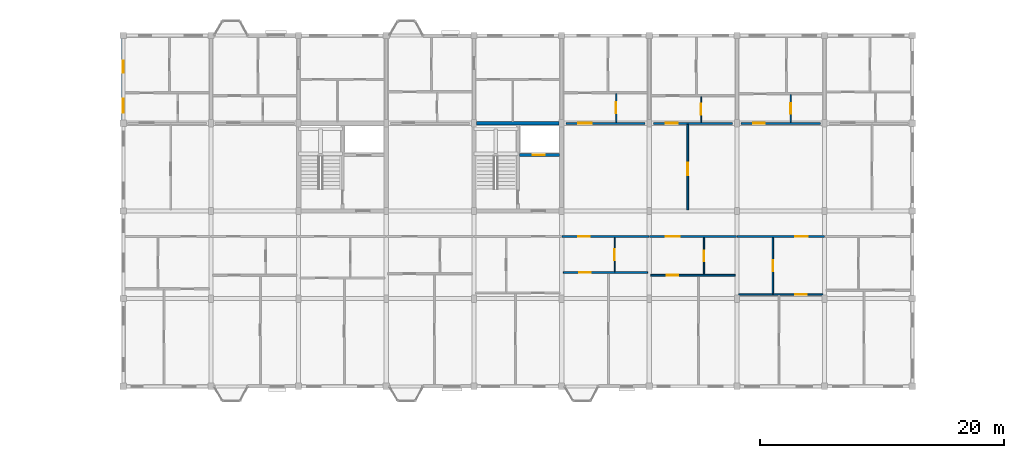
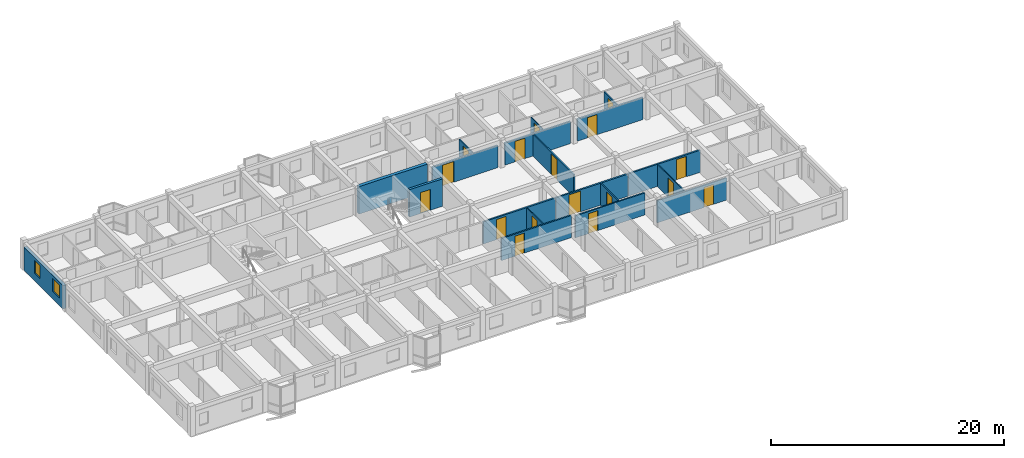
# One storey, part 62 of 70: 19 walls, 17 doors, 2 windows, 19 openings.
"""IFC4 building model written with IfcOpenShell, lengths in metres."""

from ifc_helpers import new_model, si_unit, direction, frame, frame_2d, origin, place, context, subcontext, project, spatial, rectangle, extrude, material, layer, layer_set, type_object, element, fill, save


model = new_model("IFC4")

# Units and contexts
model_context = context("Model", 3, precision=1e-05, world=origin(), true_north=direction((0.0, 1.0)))
body_context = subcontext(model_context, "Body", "Model", "MODEL_VIEW")
ifc_project = project(units=[si_unit("LENGTHUNIT", "METRE"), si_unit("AREAUNIT", "SQUARE_METRE"), si_unit("VOLUMEUNIT", "CUBIC_METRE"), si_unit("PLANEANGLEUNIT", "RADIAN"), si_unit("MASSUNIT", "GRAM", prefix="KILO"), si_unit("THERMODYNAMICTEMPERATUREUNIT", "KELVIN"), si_unit("POWERUNIT", "WATT")], contexts=[model_context])

# Site, building, storey
site_placement = place(None, origin())
site = spatial("IfcSite", under=ifc_project, at=site_placement, CompositionType="ELEMENT")
building_placement = place(site_placement, origin())
building = spatial("IfcBuilding", under=site, at=building_placement, Name="Tavuni Mirador Residences", CompositionType="ELEMENT")
storey_placement = place(building_placement, frame((0.0, 0.0, 23.39990234375)))
storey = spatial("IfcBuildingStorey", under=building, at=storey_placement, Name="L07", CompositionType="ELEMENT", Elevation=23.39990234375)

# Wall, opening, door
ifc_material_1 = material(Name="Precast concrete C40/50", Category="concrete")
ifc_layer_1 = layer(ifc_material_1, 0.25, Name="Precast concrete C40/50", Category="concrete")
ifc_layer_set_1 = layer_set([ifc_layer_1], Name="Precast concrete C40/50")
wall_type_1 = type_object("IfcWallType", Name="WT-COR250", PredefinedType="SHEAR", material=ifc_layer_set_1)
wall_1_placement = place(storey_placement, frame((43.324951171875, 163.0, 0.0), z_axis=(0.0, 0.0, 1.0), x_axis=(1.0, 0.0, 0.0)))
wall_1 = element("IfcWall", 1, at=wall_1_placement, inside=storey, type_object=wall_type_1, Name="CWALL-C6-L07-SHF", PredefinedType="SHEAR", context=body_context, shape_type="SweptSolid", body=[
    extrude(rectangle(XDim=3.31494140625, YDim=0.25, at=frame_2d((1.657470703125, 0.0))), origin(), (0.0, 0.0, 1.0), 2.885009765625),
])
opening_1_placement = place(wall_1_placement, frame((1.10009765625, 0.0, 0.0)))
opening_1 = element("IfcOpeningElement", 2, at=opening_1_placement, cuts=wall_1, Name="Opening LD-02", PredefinedType="OPENING", context=body_context, shape_type="SweptSolid", body=[
    extrude(rectangle(XDim=1.0, YDim=2.199951171875, at=frame_2d((0.5, 1.10009765625))), frame((0.0, 0.135009765625, 0.0), z_axis=(0.0, -1.0, 0.0), x_axis=(1.0, 0.0, 0.0)), (0.0, 0.0, 1.0), 0.27001953125),
])
ifc_material_2 = material(Name="Structural steel S355", Category="steel")
door_type_1 = type_object("IfcDoorType", Name="DT-LD-PAX", OperationType="SLIDING_TO_LEFT", PredefinedType="DOOR", material=ifc_material_2)
door_1_placement = place(opening_1_placement, origin())
door_1 = element("IfcDoor", 3, at=door_1_placement, inside=storey, type_object=door_type_1, Name="Lift landing door PL-C1 L07", OperationType="SLIDING_TO_LEFT", OverallHeight=2.199951171875, OverallWidth=1.0, PredefinedType="DOOR", context=body_context, shape_type="SweptSolid", body=[
    extrude(rectangle(XDim=1.0, YDim=2.199951171875, at=frame_2d((0.5, 1.10009765625))), frame((0.0, 0.02490234375, 0.0), z_axis=(0.0, -1.0, 0.0), x_axis=(1.0, 0.0, 0.0)), (0.0, 0.0, 1.0), 0.050048828125),
])
fill(opening_1, door_1)

# Wall
ifc_layer_2 = layer(ifc_material_1, 0.320068359375, Name="Precast concrete C40/50", Category="concrete")
ifc_layer_set_2 = layer_set([ifc_layer_2], Name="Precast concrete C40/50")
wall_type_2 = type_object("IfcWallType", Name="WT-COR320", PredefinedType="SHEAR", material=ifc_layer_set_2)
wall_2_placement = place(storey_placement, frame((39.800048828125, 165.60009765625, 0.0), z_axis=(0.0, 0.0, 1.0), x_axis=(1.0, 0.0, 0.0)))
element("IfcWall", 4, at=wall_2_placement, inside=storey, type_object=wall_type_2, Name="CWALL-C6-L07-N", PredefinedType="SHEAR", context=body_context, shape_type="SweptSolid", body=[
    extrude(rectangle(XDim=6.800048828125, YDim=0.320068359375, at=frame_2d((3.39990234375, 0.0))), origin(), (0.0, 0.0, 1.0), 2.885009765625),
])

# Wall, opening, door
ifc_layer_3 = layer(ifc_material_1, 0.1650390625, Name="Precast concrete C40/50", Category="concrete")
ifc_layer_set_3 = layer_set([ifc_layer_3], Name="Precast concrete C40/50")
wall_type_3 = type_object("IfcWallType", Name="WT-CORR165", PredefinedType="PARTITIONING", material=ifc_layer_set_3)
wall_3_placement = place(storey_placement, frame((46.820068359375, 156.300048828125, 0.0), z_axis=(0.0, 0.0, 1.0), x_axis=(1.0, 0.0, 0.0)))
wall_3 = element("IfcWall", 5, at=wall_3_placement, inside=storey, type_object=wall_type_3, Name="CORW-BLK-C-L07-0-05", PredefinedType="PARTITIONING", context=body_context, shape_type="SweptSolid", body=[
    extrude(rectangle(XDim=7.159912109375, YDim=0.1650390625, at=frame_2d((3.580078125, 0.0))), origin(), (0.0, 0.0, 1.0), 2.320068359375),
])
opening_2_placement = place(wall_3_placement, frame((1.330078125, 0.0, 0.0)))
opening_2 = element("IfcOpeningElement", 6, at=opening_2_placement, cuts=wall_3, Name="Opening D-19", PredefinedType="OPENING", context=body_context, shape_type="SweptSolid", body=[
    extrude(rectangle(XDim=0.93994140625, YDim=2.1201171875, at=frame_2d((0.469970703125, 1.06005859375))), frame((0.0, 0.092529296875, 0.0), z_axis=(0.0, -1.0, 0.0), x_axis=(1.0, 0.0, 0.0)), (0.0, 0.0, 1.0), 0.18505859375),
])
ifc_material_3 = material(Name="Solid core iroko timber", Category="wood")
door_type_2 = type_object("IfcDoorType", Name="DT-FD60-940", OperationType="NOTDEFINED", PredefinedType="DOOR", material=ifc_material_3)
door_2_placement = place(opening_2_placement, origin())
door_2 = element("IfcDoor", 7, at=door_2_placement, inside=storey, type_object=door_type_2, Name="DR-2728", OperationType="SINGLE_SWING_LEFT", OverallHeight=2.1201171875, OverallWidth=0.93994140625, PredefinedType="DOOR", context=body_context, shape_type="SweptSolid", body=[
    extrude(rectangle(XDim=0.93994140625, YDim=2.1201171875, at=frame_2d((0.469970703125, 1.06005859375))), frame((0.0, 0.02490234375, 0.0), z_axis=(0.0, -1.0, 0.0), x_axis=(1.0, 0.0, 0.0)), (0.0, 0.0, 1.0), 0.050048828125),
])
fill(opening_2, door_2)

wall_4_placement = place(storey_placement, frame((54.02001953125, 156.300048828125, 0.0), z_axis=(0.0, 0.0, 1.0), x_axis=(1.0, 0.0, 0.0)))
wall_4 = element("IfcWall", 8, at=wall_4_placement, inside=storey, type_object=wall_type_3, Name="CORW-BLK-C-L07-0-06", PredefinedType="PARTITIONING", context=body_context, shape_type="SweptSolid", body=[
    extrude(rectangle(XDim=7.159912109375, YDim=0.1650390625, at=frame_2d((3.580078125, 0.0))), origin(), (0.0, 0.0, 1.0), 2.320068359375),
])
opening_3_placement = place(wall_4_placement, frame((1.330078125, 0.0, 0.0)))
opening_3 = element("IfcOpeningElement", 9, at=opening_3_placement, cuts=wall_4, Name="Opening D-20", PredefinedType="OPENING", context=body_context, shape_type="SweptSolid", body=[
    extrude(rectangle(XDim=1.139892578125, YDim=2.179931640625, at=frame_2d((0.56982421875, 1.08984375))), frame((0.0, 0.092529296875, 0.0), z_axis=(0.0, -1.0, 0.0), x_axis=(1.0, 0.0, 0.0)), (0.0, 0.0, 1.0), 0.18505859375),
])
door_type_3 = type_object("IfcDoorType", Name="DT-FD60-1140", OperationType="NOTDEFINED", PredefinedType="DOOR", material=ifc_material_3)
door_3_placement = place(opening_3_placement, origin())
door_3 = element("IfcDoor", 10, at=door_3_placement, inside=storey, type_object=door_type_3, Name="DR-2729", OperationType="SINGLE_SWING_RIGHT", OverallHeight=2.179931640625, OverallWidth=1.139892578125, PredefinedType="DOOR", context=body_context, shape_type="SweptSolid", body=[
    extrude(rectangle(XDim=1.139892578125, YDim=2.179931640625, at=frame_2d((0.56982421875, 1.08984375))), frame((0.0, 0.02490234375, 0.0), z_axis=(0.0, -1.0, 0.0), x_axis=(1.0, 0.0, 0.0)), (0.0, 0.0, 1.0), 0.050048828125),
])
fill(opening_3, door_3)

wall_5_placement = place(storey_placement, frame((61.219970703125, 156.300048828125, 0.0), z_axis=(0.0, 0.0, 1.0), x_axis=(1.0, 0.0, 0.0)))
wall_5 = element("IfcWall", 11, at=wall_5_placement, inside=storey, type_object=wall_type_3, Name="CORW-BLK-C-L07-0-07", PredefinedType="PARTITIONING", context=body_context, shape_type="SweptSolid", body=[
    extrude(rectangle(XDim=7.159912109375, YDim=0.1650390625, at=frame_2d((3.580078125, 0.0))), origin(), (0.0, 0.0, 1.0), 2.320068359375),
])
opening_4_placement = place(wall_5_placement, frame((4.780029296875, 0.0, 0.0)))
opening_4 = element("IfcOpeningElement", 12, at=opening_4_placement, cuts=wall_5, Name="Opening D-03", PredefinedType="OPENING", context=body_context, shape_type="SweptSolid", body=[
    extrude(rectangle(XDim=1.0, YDim=2.14990234375, at=frame_2d((0.5, 1.074951171875))), frame((0.0, 0.092529296875, 0.0), z_axis=(0.0, -1.0, 0.0), x_axis=(1.0, 0.0, 0.0)), (0.0, 0.0, 1.0), 0.18505859375),
])
door_type_4 = type_object("IfcDoorType", Name="DT-FD60-1000", OperationType="NOTDEFINED", PredefinedType="DOOR", material=ifc_material_3)
door_4_placement = place(opening_4_placement, origin())
door_4 = element("IfcDoor", 13, at=door_4_placement, inside=storey, type_object=door_type_4, Name="DR-2730", OperationType="SINGLE_SWING_LEFT", OverallHeight=2.14990234375, OverallWidth=1.0, PredefinedType="DOOR", context=body_context, shape_type="SweptSolid", body=[
    extrude(rectangle(XDim=1.0, YDim=2.14990234375, at=frame_2d((0.5, 1.074951171875))), frame((0.0, 0.02490234375, 0.0), z_axis=(0.0, -1.0, 0.0), x_axis=(1.0, 0.0, 0.0)), (0.0, 0.0, 1.0), 0.050048828125),
])
fill(opening_4, door_4)

wall_6_placement = place(storey_placement, frame((47.14990234375, 165.60009765625, 0.0), z_axis=(0.0, 0.0, 1.0), x_axis=(1.0, 0.0, 0.0)))
wall_6 = element("IfcWall", 14, at=wall_6_placement, inside=storey, type_object=wall_type_3, Name="CORW-BLK-C-L07-1-05", PredefinedType="PARTITIONING", context=body_context, shape_type="SweptSolid", body=[
    extrude(rectangle(XDim=6.5, YDim=0.1650390625, at=frame_2d((3.25, 0.0))), origin(), (0.0, 0.0, 1.0), 2.320068359375),
])
opening_5_placement = place(wall_6_placement, frame((1.0, 0.0, 0.0)))
opening_5 = element("IfcOpeningElement", 15, at=opening_5_placement, cuts=wall_6, Name="Opening D-20", PredefinedType="OPENING", context=body_context, shape_type="SweptSolid", body=[
    extrude(rectangle(XDim=1.139892578125, YDim=2.179931640625, at=frame_2d((0.56982421875, 1.08984375))), frame((0.0, 0.092529296875, 0.0), z_axis=(0.0, -1.0, 0.0), x_axis=(1.0, 0.0, 0.0)), (0.0, 0.0, 1.0), 0.18505859375),
])
door_5_placement = place(opening_5_placement, origin())
door_5 = element("IfcDoor", 16, at=door_5_placement, inside=storey, type_object=door_type_3, Name="DR-2735", OperationType="SINGLE_SWING_RIGHT", OverallHeight=2.179931640625, OverallWidth=1.139892578125, PredefinedType="DOOR", context=body_context, shape_type="SweptSolid", body=[
    extrude(rectangle(XDim=1.139892578125, YDim=2.179931640625, at=frame_2d((0.56982421875, 1.08984375))), frame((0.0, 0.02490234375, 0.0), z_axis=(0.0, -1.0, 0.0), x_axis=(1.0, 0.0, 0.0)), (0.0, 0.0, 1.0), 0.050048828125),
])
fill(opening_5, door_5)

wall_7_placement = place(storey_placement, frame((54.35009765625, 165.60009765625, 0.0), z_axis=(0.0, 0.0, 1.0), x_axis=(1.0, 0.0, 0.0)))
wall_7 = element("IfcWall", 17, at=wall_7_placement, inside=storey, type_object=wall_type_3, Name="CORW-BLK-C-L07-1-06", PredefinedType="PARTITIONING", context=body_context, shape_type="SweptSolid", body=[
    extrude(rectangle(XDim=6.5, YDim=0.1650390625, at=frame_2d((3.25, 0.0))), origin(), (0.0, 0.0, 1.0), 2.320068359375),
])
opening_6_placement = place(wall_7_placement, frame((1.0, 0.0, 0.0)))
opening_6 = element("IfcOpeningElement", 18, at=opening_6_placement, cuts=wall_7, Name="Opening D-03", PredefinedType="OPENING", context=body_context, shape_type="SweptSolid", body=[
    extrude(rectangle(XDim=1.0, YDim=2.14990234375, at=frame_2d((0.5, 1.074951171875))), frame((0.0, 0.092529296875, 0.0), z_axis=(0.0, -1.0, 0.0), x_axis=(1.0, 0.0, 0.0)), (0.0, 0.0, 1.0), 0.18505859375),
])
door_6_placement = place(opening_6_placement, origin())
door_6 = element("IfcDoor", 19, at=door_6_placement, inside=storey, type_object=door_type_4, Name="DR-2736", OperationType="SINGLE_SWING_LEFT", OverallHeight=2.14990234375, OverallWidth=1.0, PredefinedType="DOOR", context=body_context, shape_type="SweptSolid", body=[
    extrude(rectangle(XDim=1.0, YDim=2.14990234375, at=frame_2d((0.5, 1.074951171875))), frame((0.0, 0.02490234375, 0.0), z_axis=(0.0, -1.0, 0.0), x_axis=(1.0, 0.0, 0.0)), (0.0, 0.0, 1.0), 0.050048828125),
])
fill(opening_6, door_6)

wall_8_placement = place(storey_placement, frame((61.550048828125, 165.60009765625, 0.0), z_axis=(0.0, 0.0, 1.0), x_axis=(1.0, 0.0, 0.0)))
wall_8 = element("IfcWall", 20, at=wall_8_placement, inside=storey, type_object=wall_type_3, Name="CORW-BLK-C-L07-1-07", PredefinedType="PARTITIONING", context=body_context, shape_type="SweptSolid", body=[
    extrude(rectangle(XDim=6.5, YDim=0.1650390625, at=frame_2d((3.25, 0.0))), origin(), (0.0, 0.0, 1.0), 2.320068359375),
])
opening_7_placement = place(wall_8_placement, frame((1.0, 0.0, 0.0)))
opening_7 = element("IfcOpeningElement", 21, at=opening_7_placement, cuts=wall_8, Name="Opening D-19", PredefinedType="OPENING", context=body_context, shape_type="SweptSolid", body=[
    extrude(rectangle(XDim=0.93994140625, YDim=2.1201171875, at=frame_2d((0.469970703125, 1.06005859375))), frame((0.0, 0.092529296875, 0.0), z_axis=(0.0, -1.0, 0.0), x_axis=(1.0, 0.0, 0.0)), (0.0, 0.0, 1.0), 0.18505859375),
])
door_7_placement = place(opening_7_placement, origin())
door_7 = element("IfcDoor", 22, at=door_7_placement, inside=storey, type_object=door_type_2, Name="DR-2737", OperationType="SINGLE_SWING_RIGHT", OverallHeight=2.1201171875, OverallWidth=0.93994140625, PredefinedType="DOOR", context=body_context, shape_type="SweptSolid", body=[
    extrude(rectangle(XDim=0.93994140625, YDim=2.1201171875, at=frame_2d((0.469970703125, 1.06005859375))), frame((0.0, 0.02490234375, 0.0), z_axis=(0.0, -1.0, 0.0), x_axis=(1.0, 0.0, 0.0)), (0.0, 0.0, 1.0), 0.050048828125),
])
fill(opening_7, door_7)

# Wall, openings, windows
ifc_material_4 = material(Name="Sgraffito lime-rendered precast concrete C40/50", Category="concrete")
ifc_layer_4 = layer(ifc_material_4, 0.2900390625, Name="Sgraffito lime-rendered precast concrete C40/50", Category="concrete")
ifc_layer_set_4 = layer_set([ifc_layer_4], Name="Sgraffito lime-rendered precast concrete C40/50")
wall_type_4 = type_object("IfcWallType", Name="WT-EXT-PC290", PredefinedType="SOLIDWALL", material=ifc_layer_set_4)
wall_9_placement = place(storey_placement, frame((10.800048828125, 172.550048828125, 0.0), z_axis=(0.0, 0.0, 1.0), x_axis=(0.0, -1.0, 0.0)))
wall_9 = element("IfcWall", 23, at=wall_9_placement, inside=storey, type_object=wall_type_4, Name="EW-BLK-C-L07-W03", PredefinedType="SOLIDWALL", context=body_context, shape_type="SweptSolid", body=[
    extrude(rectangle(XDim=6.699951171875, YDim=0.2900390625, at=frame_2d((3.35009765625, 0.0))), origin(), (0.0, 0.0, 1.0), 2.455078125),
])
opening_8_placement = place(wall_9_placement, frame((1.804931640625, 0.0, 0.780029296875)))
opening_8 = element("IfcOpeningElement", 24, at=opening_8_placement, cuts=wall_9, Name="Opening WN-18", PredefinedType="OPENING", context=body_context, shape_type="SweptSolid", body=[
    extrude(rectangle(XDim=0.97998046875, YDim=1.360107421875, at=frame_2d((0.489990234375, 0.68017578125))), frame((0.0, 0.155029296875, 0.0), z_axis=(0.0, -1.0, 0.0), x_axis=(1.0, 0.0, 0.0)), (0.0, 0.0, 1.0), 0.31005859375),
])
opening_9_placement = place(wall_9_placement, frame((4.93505859375, 0.0, 0.780029296875)))
opening_9 = element("IfcOpeningElement", 25, at=opening_9_placement, cuts=wall_9, Name="Opening WN-20", PredefinedType="OPENING", context=body_context, shape_type="SweptSolid", body=[
    extrude(rectangle(XDim=1.139892578125, YDim=1.360107421875, at=frame_2d((0.56982421875, 0.68017578125))), frame((0.0, 0.155029296875, 0.0), z_axis=(0.0, -1.0, 0.0), x_axis=(1.0, 0.0, 0.0)), (0.0, 0.0, 1.0), 0.31005859375),
])
ifc_material_5 = material(Name="Laminated solar-control glass", Category="glass")
window_type_1 = type_object("IfcWindowType", Name="WNT-18", PartitioningType="SINGLE_PANEL", PredefinedType="WINDOW", material=ifc_material_5)
window_1_placement = place(opening_8_placement, origin())
window_1 = element("IfcWindow", 26, at=window_1_placement, inside=storey, type_object=window_type_1, Name="WIN-1180", OverallHeight=1.360107421875, OverallWidth=0.97998046875, PartitioningType="SINGLE_PANEL", PredefinedType="WINDOW", context=body_context, shape_type="SweptSolid", body=[
    extrude(rectangle(XDim=0.97998046875, YDim=1.360107421875, at=frame_2d((0.489990234375, 0.68017578125))), frame((0.0, 0.030029296875, 0.0), z_axis=(0.0, -1.0, 0.0), x_axis=(1.0, 0.0, 0.0)), (0.0, 0.0, 1.0), 0.06005859375),
])
fill(opening_8, window_1)
window_type_2 = type_object("IfcWindowType", Name="WNT-20", PartitioningType="SINGLE_PANEL", PredefinedType="WINDOW", material=ifc_material_5)
window_2_placement = place(opening_9_placement, origin())
window_2 = element("IfcWindow", 27, at=window_2_placement, inside=storey, type_object=window_type_2, Name="WIN-1181", OverallHeight=1.360107421875, OverallWidth=1.139892578125, PartitioningType="SINGLE_PANEL", PredefinedType="WINDOW", context=body_context, shape_type="SweptSolid", body=[
    extrude(rectangle(XDim=1.139892578125, YDim=1.360107421875, at=frame_2d((0.56982421875, 0.68017578125))), frame((0.0, 0.030029296875, 0.0), z_axis=(0.0, -1.0, 0.0), x_axis=(1.0, 0.0, 0.0)), (0.0, 0.0, 1.0), 0.06005859375),
])
fill(opening_9, window_2)

# Wall, opening, door
ifc_material_6 = material(Name="Acoustic gypsum and concrete block partition", Category="concrete")
ifc_layer_5 = layer(ifc_material_6, 0.094970703125, Name="Acoustic gypsum and concrete block partition", Category="concrete")
ifc_layer_set_5 = layer_set([ifc_layer_5], Name="Acoustic gypsum and concrete block partition")
wall_type_5 = type_object("IfcWallType", Name="WT-PART095", PredefinedType="PARTITIONING", material=ifc_layer_set_5)
wall_10_placement = place(storey_placement, frame((51.14990234375, 153.419921875, 0.0), z_axis=(0.0, 0.0, 1.0), x_axis=(0.0, 1.0, 0.0)))
wall_10 = element("IfcWall", 28, at=wall_10_placement, inside=storey, type_object=wall_type_5, Name="PW-BLK-C-L07-S05-IN1", PredefinedType="PARTITIONING", context=body_context, shape_type="SweptSolid", body=[
    extrude(rectangle(XDim=2.7900390625, YDim=0.094970703125, at=frame_2d((1.39501953125, 0.0))), origin(), (0.0, 0.0, 1.0), 2.320068359375),
])
opening_10_placement = place(wall_10_placement, frame((0.945068359375, 0.0, 0.0)))
opening_10 = element("IfcOpeningElement", 29, at=opening_10_placement, cuts=wall_10, Name="Opening D-09", PredefinedType="OPENING", context=body_context, shape_type="SweptSolid", body=[
    extrude(rectangle(XDim=0.89990234375, YDim=2.050048828125, at=frame_2d((0.449951171875, 1.02490234375))), frame((0.0, 0.0576171875, 0.0), z_axis=(0.0, -1.0, 0.0), x_axis=(1.0, 0.0, 0.0)), (0.0, 0.0, 1.0), 0.114990234375),
])
door_type_5 = type_object("IfcDoorType", Name="DT-WC900", OperationType="NOTDEFINED", PredefinedType="DOOR", material=ifc_material_3)
door_8_placement = place(opening_10_placement, origin())
door_8 = element("IfcDoor", 30, at=door_8_placement, inside=storey, type_object=door_type_5, Name="DR-4047", OperationType="SINGLE_SWING_LEFT", OverallHeight=2.050048828125, OverallWidth=0.89990234375, PredefinedType="DOOR", context=body_context, shape_type="SweptSolid", body=[
    extrude(rectangle(XDim=0.89990234375, YDim=2.050048828125, at=frame_2d((0.449951171875, 1.02490234375))), frame((0.0, 0.02490234375, 0.0), z_axis=(0.0, -1.0, 0.0), x_axis=(1.0, 0.0, 0.0)), (0.0, 0.0, 1.0), 0.050048828125),
])
fill(opening_10, door_8)

wall_11_placement = place(storey_placement, frame((58.260009765625, 165.68994140625, 0.0), z_axis=(0.0, 0.0, 1.0), x_axis=(0.0, 1.0, 0.0)))
wall_11 = element("IfcWall", 31, at=wall_11_placement, inside=storey, type_object=wall_type_5, Name="PW-BLK-C-L07-N06-IN1", PredefinedType="PARTITIONING", context=body_context, shape_type="SweptSolid", body=[
    extrude(rectangle(XDim=2.10009765625, YDim=0.094970703125, at=frame_2d((1.050048828125, 0.0))), origin(), (0.0, 0.0, 1.0), 2.320068359375),
])
opening_11_placement = place(wall_11_placement, frame((0.60009765625, 0.0, 0.0)))
opening_11 = element("IfcOpeningElement", 32, at=opening_11_placement, cuts=wall_11, Name="Opening D-09", PredefinedType="OPENING", context=body_context, shape_type="SweptSolid", body=[
    extrude(rectangle(XDim=0.89990234375, YDim=2.050048828125, at=frame_2d((0.449951171875, 1.02490234375))), frame((0.0, 0.0576171875, 0.0), z_axis=(0.0, -1.0, 0.0), x_axis=(1.0, 0.0, 0.0)), (0.0, 0.0, 1.0), 0.114990234375),
])
door_9_placement = place(opening_11_placement, origin())
door_9 = element("IfcDoor", 33, at=door_9_placement, inside=storey, type_object=door_type_5, Name="DR-4057", OperationType="SINGLE_SWING_LEFT", OverallHeight=2.050048828125, OverallWidth=0.89990234375, PredefinedType="DOOR", context=body_context, shape_type="SweptSolid", body=[
    extrude(rectangle(XDim=0.89990234375, YDim=2.050048828125, at=frame_2d((0.449951171875, 1.02490234375))), frame((0.0, 0.02490234375, 0.0), z_axis=(0.0, -1.0, 0.0), x_axis=(1.0, 0.0, 0.0)), (0.0, 0.0, 1.0), 0.050048828125),
])
fill(opening_11, door_9)

wall_12_placement = place(storey_placement, frame((65.6201171875, 165.68994140625, 0.0), z_axis=(0.0, 0.0, 1.0), x_axis=(0.0, 1.0, 0.0)))
wall_12 = element("IfcWall", 34, at=wall_12_placement, inside=storey, type_object=wall_type_5, Name="PW-BLK-C-L07-N07-IN1", PredefinedType="PARTITIONING", context=body_context, shape_type="SweptSolid", body=[
    extrude(rectangle(XDim=2.260009765625, YDim=0.094970703125, at=frame_2d((1.1298828125, 0.0))), origin(), (0.0, 0.0, 1.0), 2.320068359375),
])
opening_12_placement = place(wall_12_placement, frame((0.695068359375, 0.0, 0.0)))
opening_12 = element("IfcOpeningElement", 35, at=opening_12_placement, cuts=wall_12, Name="Opening D-10", PredefinedType="OPENING", context=body_context, shape_type="SweptSolid", body=[
    extrude(rectangle(XDim=0.8701171875, YDim=2.050048828125, at=frame_2d((0.43505859375, 1.02490234375))), frame((0.0, 0.0576171875, 0.0), z_axis=(0.0, -1.0, 0.0), x_axis=(1.0, 0.0, 0.0)), (0.0, 0.0, 1.0), 0.114990234375),
])
door_type_6 = type_object("IfcDoorType", Name="DT-WC870", OperationType="NOTDEFINED", PredefinedType="DOOR", material=ifc_material_3)
door_10_placement = place(opening_12_placement, origin())
door_10 = element("IfcDoor", 36, at=door_10_placement, inside=storey, type_object=door_type_6, Name="DR-4063", OperationType="SINGLE_SWING_RIGHT", OverallHeight=2.050048828125, OverallWidth=0.8701171875, PredefinedType="DOOR", context=body_context, shape_type="SweptSolid", body=[
    extrude(rectangle(XDim=0.8701171875, YDim=2.050048828125, at=frame_2d((0.43505859375, 1.02490234375))), frame((0.0, 0.02490234375, 0.0), z_axis=(0.0, -1.0, 0.0), x_axis=(1.0, 0.0, 0.0)), (0.0, 0.0, 1.0), 0.050048828125),
])
fill(opening_12, door_10)

ifc_layer_6 = layer(ifc_material_6, 0.10498046875, Name="Acoustic gypsum and concrete block partition", Category="concrete")
ifc_layer_set_6 = layer_set([ifc_layer_6], Name="Acoustic gypsum and concrete block partition")
wall_type_6 = type_object("IfcWallType", Name="WT-PART105", PredefinedType="PARTITIONING", material=ifc_layer_set_6)
wall_13_placement = place(storey_placement, frame((51.280029296875, 165.68994140625, 0.0), z_axis=(0.0, 0.0, 1.0), x_axis=(0.0, 1.0, 0.0)))
wall_13 = element("IfcWall", 37, at=wall_13_placement, inside=storey, type_object=wall_type_6, Name="PW-BLK-C-L07-N05-IN1", PredefinedType="PARTITIONING", context=body_context, shape_type="SweptSolid", body=[
    extrude(rectangle(XDim=2.340087890625, YDim=0.10498046875, at=frame_2d((1.169921875, 0.0))), origin(), (0.0, 0.0, 1.0), 2.320068359375),
])
opening_13_placement = place(wall_13_placement, frame((0.719970703125, 0.0, 0.0)))
opening_13 = element("IfcOpeningElement", 38, at=opening_13_placement, cuts=wall_13, Name="Opening D-09", PredefinedType="OPENING", context=body_context, shape_type="SweptSolid", body=[
    extrude(rectangle(XDim=0.89990234375, YDim=2.050048828125, at=frame_2d((0.449951171875, 1.02490234375))), frame((0.0, 0.0625, 0.0), z_axis=(0.0, -1.0, 0.0), x_axis=(1.0, 0.0, 0.0)), (0.0, 0.0, 1.0), 0.125),
])
door_11_placement = place(opening_13_placement, origin())
door_11 = element("IfcDoor", 39, at=door_11_placement, inside=storey, type_object=door_type_5, Name="DR-4050", OperationType="SINGLE_SWING_LEFT", OverallHeight=2.050048828125, OverallWidth=0.89990234375, PredefinedType="DOOR", context=body_context, shape_type="SweptSolid", body=[
    extrude(rectangle(XDim=0.89990234375, YDim=2.050048828125, at=frame_2d((0.449951171875, 1.02490234375))), frame((0.0, 0.02490234375, 0.0), z_axis=(0.0, -1.0, 0.0), x_axis=(1.0, 0.0, 0.0)), (0.0, 0.0, 1.0), 0.050048828125),
])
fill(opening_13, door_11)

wall_14_placement = place(storey_placement, frame((58.5, 153.18994140625, 0.0), z_axis=(0.0, 0.0, 1.0), x_axis=(0.0, 1.0, 0.0)))
wall_14 = element("IfcWall", 40, at=wall_14_placement, inside=storey, type_object=wall_type_6, Name="PW-BLK-C-L07-S06-IN1", PredefinedType="PARTITIONING", context=body_context, shape_type="SweptSolid", body=[
    extrude(rectangle(XDim=3.02001953125, YDim=0.10498046875, at=frame_2d((1.510009765625, 0.0))), origin(), (0.0, 0.0, 1.0), 2.320068359375),
])
opening_14_placement = place(wall_14_placement, frame((1.074951171875, 0.0, 0.0)))
opening_14 = element("IfcOpeningElement", 41, at=opening_14_placement, cuts=wall_14, Name="Opening D-10", PredefinedType="OPENING", context=body_context, shape_type="SweptSolid", body=[
    extrude(rectangle(XDim=0.8701171875, YDim=2.050048828125, at=frame_2d((0.43505859375, 1.02490234375))), frame((0.0, 0.0625, 0.0), z_axis=(0.0, -1.0, 0.0), x_axis=(1.0, 0.0, 0.0)), (0.0, 0.0, 1.0), 0.125),
])
door_12_placement = place(opening_14_placement, origin())
door_12 = element("IfcDoor", 42, at=door_12_placement, inside=storey, type_object=door_type_6, Name="DR-4054", OperationType="SINGLE_SWING_RIGHT", OverallHeight=2.050048828125, OverallWidth=0.8701171875, PredefinedType="DOOR", context=body_context, shape_type="SweptSolid", body=[
    extrude(rectangle(XDim=0.8701171875, YDim=2.050048828125, at=frame_2d((0.43505859375, 1.02490234375))), frame((0.0, 0.02490234375, 0.0), z_axis=(0.0, -1.0, 0.0), x_axis=(1.0, 0.0, 0.0)), (0.0, 0.0, 1.0), 0.050048828125),
])
fill(opening_14, door_12)

wall_15_placement = place(storey_placement, frame((64.14990234375, 151.6201171875, 0.0), z_axis=(0.0, 0.0, 1.0), x_axis=(0.0, 1.0, 0.0)))
wall_15 = element("IfcWall", 43, at=wall_15_placement, inside=storey, type_object=wall_type_6, Name="PW-BLK-C-L07-S07-IN1", PredefinedType="PARTITIONING", context=body_context, shape_type="SweptSolid", body=[
    extrude(rectangle(XDim=4.58984375, YDim=0.10498046875, at=frame_2d((2.294921875, 0.0))), origin(), (0.0, 0.0, 1.0), 2.320068359375),
])
opening_15_placement = place(wall_15_placement, frame((1.844970703125, 0.0, 0.0)))
opening_15 = element("IfcOpeningElement", 44, at=opening_15_placement, cuts=wall_15, Name="Opening D-09", PredefinedType="OPENING", context=body_context, shape_type="SweptSolid", body=[
    extrude(rectangle(XDim=0.89990234375, YDim=2.050048828125, at=frame_2d((0.449951171875, 1.02490234375))), frame((0.0, 0.0625, 0.0), z_axis=(0.0, -1.0, 0.0), x_axis=(1.0, 0.0, 0.0)), (0.0, 0.0, 1.0), 0.125),
])
door_13_placement = place(opening_15_placement, origin())
door_13 = element("IfcDoor", 45, at=door_13_placement, inside=storey, type_object=door_type_5, Name="DR-4060", OperationType="SINGLE_SWING_LEFT", OverallHeight=2.050048828125, OverallWidth=0.89990234375, PredefinedType="DOOR", context=body_context, shape_type="SweptSolid", body=[
    extrude(rectangle(XDim=0.89990234375, YDim=2.050048828125, at=frame_2d((0.449951171875, 1.02490234375))), frame((0.0, 0.02490234375, 0.0), z_axis=(0.0, -1.0, 0.0), x_axis=(1.0, 0.0, 0.0)), (0.0, 0.0, 1.0), 0.050048828125),
])
fill(opening_15, door_13)

ifc_layer_7 = layer(ifc_material_6, 0.125, Name="Acoustic gypsum and concrete block partition", Category="concrete")
ifc_layer_set_7 = layer_set([ifc_layer_7], Name="Acoustic gypsum and concrete block partition")
wall_type_7 = type_object("IfcWallType", Name="WT-PART125", PredefinedType="PARTITIONING", material=ifc_layer_set_7)
wall_16_placement = place(storey_placement, frame((57.159912109375, 158.489990234375, 0.0), z_axis=(0.0, 0.0, 1.0), x_axis=(0.0, 1.0, 0.0)))
wall_16 = element("IfcWall", 46, at=wall_16_placement, inside=storey, type_object=wall_type_7, Name="PW-SPN-BLK-C-L07-06", PredefinedType="PARTITIONING", context=body_context, shape_type="SweptSolid", body=[
    extrude(rectangle(XDim=7.02001953125, YDim=0.125, at=frame_2d((3.510009765625, 0.0))), origin(), (0.0, 0.0, 1.0), 2.320068359375),
])
opening_16_placement = place(wall_16_placement, frame((2.85009765625, 0.0, 0.0)))
opening_16 = element("IfcOpeningElement", 47, at=opening_16_placement, cuts=wall_16, Name="Opening D-13", PredefinedType="OPENING", context=body_context, shape_type="SweptSolid", body=[
    extrude(rectangle(XDim=1.02001953125, YDim=2.14990234375, at=frame_2d((0.510009765625, 1.074951171875))), frame((0.0, 0.072509765625, 0.0), z_axis=(0.0, -1.0, 0.0), x_axis=(1.0, 0.0, 0.0)), (0.0, 0.0, 1.0), 0.14501953125),
])
door_type_7 = type_object("IfcDoorType", Name="DT-MTG1020", OperationType="NOTDEFINED", PredefinedType="DOOR", material=ifc_material_3)
door_14_placement = place(opening_16_placement, origin())
door_14 = element("IfcDoor", 48, at=door_14_placement, inside=storey, type_object=door_type_7, Name="DR-4052", OperationType="SINGLE_SWING_RIGHT", OverallHeight=2.14990234375, OverallWidth=1.02001953125, PredefinedType="DOOR", context=body_context, shape_type="SweptSolid", body=[
    extrude(rectangle(XDim=1.02001953125, YDim=2.14990234375, at=frame_2d((0.510009765625, 1.074951171875))), frame((0.0, 0.02490234375, 0.0), z_axis=(0.0, -1.0, 0.0), x_axis=(1.0, 0.0, 0.0)), (0.0, 0.0, 1.0), 0.050048828125),
])
fill(opening_16, door_14)

ifc_layer_8 = layer(ifc_material_6, 0.139892578125, Name="Acoustic gypsum and concrete block partition", Category="concrete")
ifc_layer_set_8 = layer_set([ifc_layer_8], Name="Acoustic gypsum and concrete block partition")
wall_type_8 = type_object("IfcWallType", Name="WT-PART140", PredefinedType="PARTITIONING", material=ifc_layer_set_8)
wall_17_placement = place(storey_placement, frame((54.139892578125, 153.1201171875, 0.0), z_axis=(0.0, 0.0, 1.0), x_axis=(1.0, 0.0, 0.0)))
wall_17 = element("IfcWall", 49, at=wall_17_placement, inside=storey, type_object=wall_type_8, Name="PW-BLK-C-L07-S06-MID", PredefinedType="PARTITIONING", context=body_context, shape_type="SweptSolid", body=[
    extrude(rectangle(XDim=6.920166015625, YDim=0.139892578125, at=frame_2d((3.4599609375, 0.0))), origin(), (0.0, 0.0, 1.0), 2.320068359375),
])
opening_17_placement = place(wall_17_placement, frame((1.31005859375, 0.0, 0.0)))
opening_17 = element("IfcOpeningElement", 50, at=opening_17_placement, cuts=wall_17, Name="Opening D-06", PredefinedType="OPENING", context=body_context, shape_type="SweptSolid", body=[
    extrude(rectangle(XDim=0.919921875, YDim=2.10009765625, at=frame_2d((0.4599609375, 1.050048828125))), frame((0.0, 0.080078125, 0.0), z_axis=(0.0, -1.0, 0.0), x_axis=(1.0, 0.0, 0.0)), (0.0, 0.0, 1.0), 0.159912109375),
])
door_type_8 = type_object("IfcDoorType", Name="DT-INT920", OperationType="NOTDEFINED", PredefinedType="DOOR", material=ifc_material_3)
door_15_placement = place(opening_17_placement, origin())
door_15 = element("IfcDoor", 51, at=door_15_placement, inside=storey, type_object=door_type_8, Name="DR-4055", OperationType="SINGLE_SWING_RIGHT", OverallHeight=2.10009765625, OverallWidth=0.919921875, PredefinedType="DOOR", context=body_context, shape_type="SweptSolid", body=[
    extrude(rectangle(XDim=0.919921875, YDim=2.10009765625, at=frame_2d((0.4599609375, 1.050048828125))), frame((0.0, 0.02490234375, 0.0), z_axis=(0.0, -1.0, 0.0), x_axis=(1.0, 0.0, 0.0)), (0.0, 0.0, 1.0), 0.050048828125),
])
fill(opening_17, door_15)

wall_18_placement = place(storey_placement, frame((61.340087890625, 151.550048828125, 0.0), z_axis=(0.0, 0.0, 1.0), x_axis=(1.0, 0.0, 0.0)))
wall_18 = element("IfcWall", 52, at=wall_18_placement, inside=storey, type_object=wall_type_8, Name="PW-BLK-C-L07-S07-MID", PredefinedType="PARTITIONING", context=body_context, shape_type="SweptSolid", body=[
    extrude(rectangle(XDim=6.919921875, YDim=0.139892578125, at=frame_2d((3.4599609375, 0.0))), origin(), (0.0, 0.0, 1.0), 2.320068359375),
])
opening_18_placement = place(wall_18_placement, frame((4.659912109375, 0.0, 0.0)))
opening_18 = element("IfcOpeningElement", 53, at=opening_18_placement, cuts=wall_18, Name="Opening D-05", PredefinedType="OPENING", context=body_context, shape_type="SweptSolid", body=[
    extrude(rectangle(XDim=0.949951171875, YDim=2.10009765625, at=frame_2d((0.47509765625, 1.050048828125))), frame((0.0, 0.080078125, 0.0), z_axis=(0.0, -1.0, 0.0), x_axis=(1.0, 0.0, 0.0)), (0.0, 0.0, 1.0), 0.159912109375),
])
door_type_9 = type_object("IfcDoorType", Name="DT-INT950", OperationType="NOTDEFINED", PredefinedType="DOOR", material=ifc_material_3)
door_16_placement = place(opening_18_placement, origin())
door_16 = element("IfcDoor", 54, at=door_16_placement, inside=storey, type_object=door_type_9, Name="DR-4061", OperationType="SINGLE_SWING_LEFT", OverallHeight=2.10009765625, OverallWidth=0.949951171875, PredefinedType="DOOR", context=body_context, shape_type="SweptSolid", body=[
    extrude(rectangle(XDim=0.949951171875, YDim=2.10009765625, at=frame_2d((0.47509765625, 1.050048828125))), frame((0.0, 0.02490234375, 0.0), z_axis=(0.0, -1.0, 0.0), x_axis=(1.0, 0.0, 0.0)), (0.0, 0.0, 1.0), 0.050048828125),
])
fill(opening_18, door_16)

ifc_layer_9 = layer(ifc_material_6, 0.14990234375, Name="Acoustic gypsum and concrete block partition", Category="concrete")
ifc_layer_set_9 = layer_set([ifc_layer_9], Name="Acoustic gypsum and concrete block partition")
wall_type_9 = type_object("IfcWallType", Name="WT-PART150", PredefinedType="PARTITIONING", material=ifc_layer_set_9)
wall_19_placement = place(storey_placement, frame((46.93994140625, 153.35009765625, 0.0), z_axis=(0.0, 0.0, 1.0), x_axis=(1.0, 0.0, 0.0)))
wall_19 = element("IfcWall", 55, at=wall_19_placement, inside=storey, type_object=wall_type_9, Name="PW-BLK-C-L07-S05-MID", PredefinedType="PARTITIONING", context=body_context, shape_type="SweptSolid", body=[
    extrude(rectangle(XDim=6.920166015625, YDim=0.14990234375, at=frame_2d((3.4599609375, 0.0))), origin(), (0.0, 0.0, 1.0), 2.320068359375),
])
opening_19_placement = place(wall_19_placement, frame((1.31005859375, 0.0, 0.0)))
opening_19 = element("IfcOpeningElement", 56, at=opening_19_placement, cuts=wall_19, Name="Opening D-05", PredefinedType="OPENING", context=body_context, shape_type="SweptSolid", body=[
    extrude(rectangle(XDim=0.949951171875, YDim=2.10009765625, at=frame_2d((0.47509765625, 1.050048828125))), frame((0.0, 0.0849609375, 0.0), z_axis=(0.0, -1.0, 0.0), x_axis=(1.0, 0.0, 0.0)), (0.0, 0.0, 1.0), 0.169921875),
])
door_17_placement = place(opening_19_placement, origin())
door_17 = element("IfcDoor", 57, at=door_17_placement, inside=storey, type_object=door_type_9, Name="DR-4048", OperationType="SINGLE_SWING_LEFT", OverallHeight=2.10009765625, OverallWidth=0.949951171875, PredefinedType="DOOR", context=body_context, shape_type="SweptSolid", body=[
    extrude(rectangle(XDim=0.949951171875, YDim=2.10009765625, at=frame_2d((0.47509765625, 1.050048828125))), frame((0.0, 0.02490234375, 0.0), z_axis=(0.0, -1.0, 0.0), x_axis=(1.0, 0.0, 0.0)), (0.0, 0.0, 1.0), 0.050048828125),
])
fill(opening_19, door_17)

save(model, "model.ifc")
